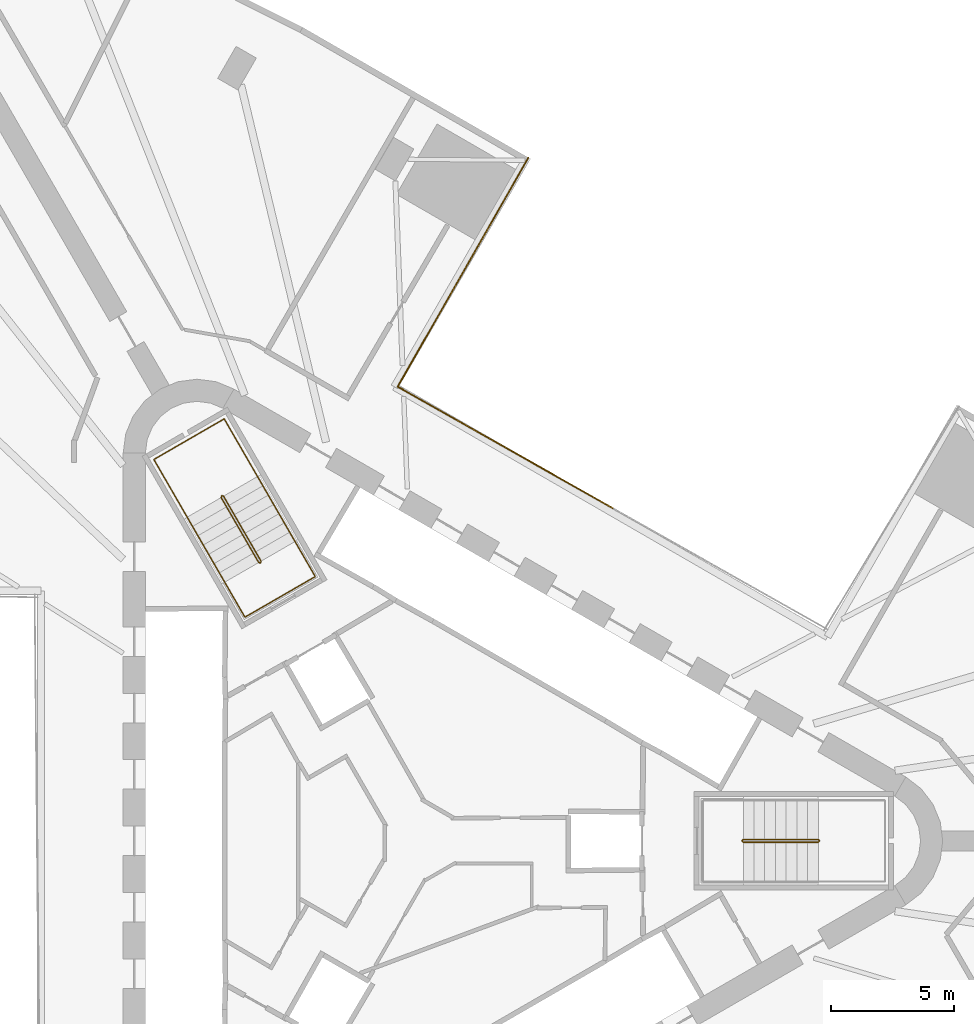
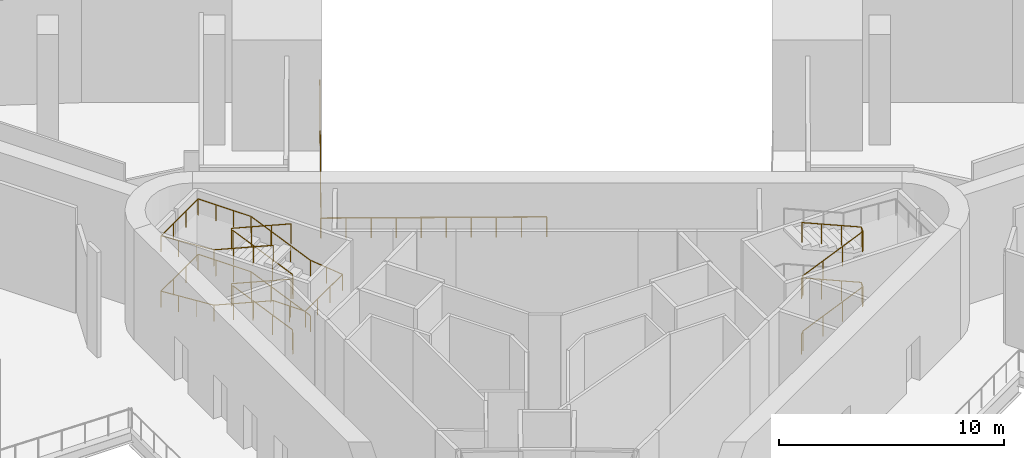
# One storey, part 10 of 11: 5 railings.
"""IFC4 building model written with IfcOpenShell, lengths in metres."""

import ifcopenshell
import ifcopenshell.guid

model = None  # the IFC model being written
_history = None  # IfcOwnerHistory: only IFC2X3 demands one
_inside = {}  # id of a spatial element -> (the spatial element, [elements in it])
_under = {}  # id of a project, library or spatial element -> (it, [spatial elements below it])
_declared = {}  # id of a project -> (the project, [libraries it declares])
_typed = {}  # id of a type object -> (the type object, [elements of that type])
_made_of = {}  # id of a material, layer set ... -> (it, [elements and type objects made of it])


def new_model(schema):
    """Start an empty IFC model of exactly this schema.

    Asked for "IFC4X3", IfcOpenShell would pick the latest addendum, in which some entities
    have other attributes; the version numbers below select the first issue.
    IFC2X3 requires an IfcOwnerHistory on every rooted entity: one is made here for all.
    """
    global model, _history
    if schema == "IFC4X3":
        model = ifcopenshell.file(schema_version=(4, 3, 0, 0))
    else:
        model = ifcopenshell.file(schema=schema)
    _inside.clear()
    _under.clear()
    _declared.clear()
    _typed.clear()
    _made_of.clear()
    _history = None
    if model.schema == "IFC2X3":
        org = make("IfcOrganization", Name="unknown")
        user = make(
            "IfcPersonAndOrganization",
            ThePerson=make("IfcPerson", FamilyName="unknown"),
            TheOrganization=org,
        )
        app = make(
            "IfcApplication",
            ApplicationDeveloper=org,
            Version="unknown",
            ApplicationFullName="unknown",
            ApplicationIdentifier="unknown",
        )
        _history = make(
            "IfcOwnerHistory",
            OwningUser=user,
            OwningApplication=app,
            ChangeAction="ADDED",
            CreationDate=0,
        )
    return model


def make(cls, **values):
    """One entity of the class cls with the attributes given. An attribute that is None is left unset."""
    return model.create_entity(
        cls, **{name: value for name, value in values.items() if value is not None}
    )


def rooted(cls, **values):
    """An entity with a GlobalId (a new one), such as an element, a storey or a relation."""
    return make(cls, GlobalId=ifcopenshell.guid.new(), OwnerHistory=_history, **values)


def si_unit(unit_type, name, prefix=None):
    """IfcSIUnit, for example si_unit("LENGTHUNIT", "METRE", prefix="MILLI")."""
    return make("IfcSIUnit", UnitType=unit_type, Prefix=prefix, Name=name)


def assignment(units):
    """IfcUnitAssignment: the units of a project."""
    return None if units is None else make("IfcUnitAssignment", Units=units)


def point(xyz):
    """IfcCartesianPoint."""
    return None if xyz is None else make("IfcCartesianPoint", Coordinates=xyz)


def direction(xyz):
    """IfcDirection."""
    return None if xyz is None else make("IfcDirection", DirectionRatios=xyz)


def frame(location, z_axis=None, x_axis=None):
    """IfcAxis2Placement3D, a coordinate frame: its origin and axes. An axis left out is left unset."""
    return make(
        "IfcAxis2Placement3D",
        Location=point(location),
        Axis=direction(z_axis),
        RefDirection=direction(x_axis),
    )


def frame_2d(location, x_axis=None):
    """IfcAxis2Placement2D, a coordinate frame in the plane: its origin and x axis."""
    return make(
        "IfcAxis2Placement2D", Location=point(location), RefDirection=direction(x_axis)
    )


def origin():
    """The frame at (0, 0, 0) with its axes left unset."""
    return frame((0.0, 0.0, 0.0))


def origin_2d():
    """The frame at (0, 0) in the plane with its x axis left unset."""
    return frame_2d((0.0, 0.0))


def place(relative_to, where):
    """IfcLocalPlacement: puts the frame where relative to a parent placement (None: the world)."""
    return make(
        "IfcLocalPlacement", PlacementRelTo=relative_to, RelativePlacement=where
    )


def context(
    kind, dimensions, precision=None, world=None, true_north=None, identifier=None
):
    """IfcGeometricRepresentationContext, for example the 3D "Model" context."""
    return make(
        "IfcGeometricRepresentationContext",
        ContextIdentifier=identifier,
        ContextType=kind,
        CoordinateSpaceDimension=dimensions,
        Precision=precision,
        WorldCoordinateSystem=world,
        TrueNorth=true_north,
    )


def subcontext(parent, identifier, kind, view, scale=None):
    """IfcGeometricRepresentationSubContext, for example "Body" below "Model"."""
    return make(
        "IfcGeometricRepresentationSubContext",
        ContextIdentifier=identifier,
        ContextType=kind,
        ParentContext=parent,
        TargetScale=scale,
        TargetView=view,
    )


def project(units=None, contexts=None):
    """IfcProject with its units and contexts."""
    return rooted(
        "IfcProject",
        Name="project",
        RepresentationContexts=contexts,
        UnitsInContext=assignment(units),
    )


def spatial(cls, under=None, at=None, **own):
    """A site, building, storey or space (cls), placed at a placement, below another one or the project."""
    s = rooted(cls, ObjectPlacement=at, **own)
    if under is not None:
        _under.setdefault(under.id(), (under, []))[1].append(s)
    return s


def profile(cls, at=None, kind="AREA", **sizes):
    """A parametric profile (cls). Its sizes go by their IFC names, for example OverallWidth=200.0."""
    return make(cls, ProfileType=kind, Position=at, **sizes)


def circle(**sizes):
    """IfcCircleProfileDef."""
    return profile("IfcCircleProfileDef", **sizes)


def extrude(swept, where, along, depth):
    """IfcExtrudedAreaSolid: the profile swept, set in the frame where, extruded along a direction by depth."""
    return make(
        "IfcExtrudedAreaSolid",
        SweptArea=swept,
        Position=where,
        ExtrudedDirection=direction(along),
        Depth=depth,
    )


def shape(context_of_items, identifier, shape_type, items):
    """IfcShapeRepresentation: the items that make up one representation, for example the "Body"."""
    return make(
        "IfcShapeRepresentation",
        ContextOfItems=context_of_items,
        RepresentationIdentifier=identifier,
        RepresentationType=shape_type,
        Items=items,
    )


def material(Name=None, Category=None):
    """IfcMaterial."""
    return make("IfcMaterial", Name=Name, Category=Category)


def made_of(thing, what):
    """Note that an element or type object is made of a material, layer set ...; save() writes the relation."""
    if what is not None:
        _made_of.setdefault(what.id(), (what, []))[1].append(thing)
    return thing


def type_object(cls, material=None, **own):
    """A type object (cls), such as IfcWallType, which elements share."""
    return made_of(rooted(cls, **own), material)


def element(
    cls,
    number,
    at=None,
    inside=None,
    cuts=None,
    type_object=None,
    material=None,
    context=None,
    identifier="Body",
    shape_type=None,
    held_by="IfcProductDefinitionShape",
    body=None,
    shapes=None,
    **own,
):
    """One element of the class cls, such as IfcWall. Its Tag is "e" and its number.

    at: its placement. inside: the storey or other place that contains it. cuts: it is an
    opening in that element (IfcRelVoidsElement). A single representation is given by context,
    identifier, shape_type and body (its items); several are given by shapes. held_by: the class
    of the entity that holds the representations. save() writes the other relations.
    """
    e = rooted(cls, Tag="e%d" % number, ObjectPlacement=at, **own)
    if body is not None:
        shapes = [shape(context, identifier, shape_type, body)]
    if shapes is not None:
        e.Representation = make(held_by, Representations=shapes)
    if inside is not None:
        _inside.setdefault(inside.id(), (inside, []))[1].append(e)
    if cuts is not None:
        rooted(
            "IfcRelVoidsElement", RelatingBuildingElement=cuts, RelatedOpeningElement=e
        )
    if type_object is not None:
        _typed.setdefault(type_object.id(), (type_object, []))[1].append(e)
    return made_of(e, material)


def aggregate(whole, parts):
    """IfcRelAggregates: a whole, such as a stair, and the parts it consists of."""
    return rooted("IfcRelAggregates", RelatingObject=whole, RelatedObjects=parts)


def save(model, path):
    """Write the relations noted so far, then the file.

    IfcRelAggregates (storeys below a building ...), IfcRelContainedInSpatialStructure (elements
    in a storey), IfcRelDefinesByType, IfcRelAssociatesMaterial and IfcRelDeclares: one each for
    every whole, place, type object, material and project.
    """
    for whole, parts in _under.values():
        aggregate(whole, parts)
    for where, things in _inside.values():
        rooted(
            "IfcRelContainedInSpatialStructure",
            RelatedElements=things,
            RelatingStructure=where,
        )
    for kind, things in _typed.values():
        rooted("IfcRelDefinesByType", RelatedObjects=things, RelatingType=kind)
    for what, things in _made_of.values():
        rooted("IfcRelAssociatesMaterial", RelatedObjects=things, RelatingMaterial=what)
    for by, libraries in _declared.values():
        rooted("IfcRelDeclares", RelatingContext=by, RelatedDefinitions=libraries)
    model.write(path)


model = new_model("IFC4")

# Units and contexts
model_context = context("Model", 3, precision=1e-05, world=origin(), true_north=direction((0.0, 1.0)))
body_context = subcontext(model_context, "Body", "Model", "MODEL_VIEW")
ifc_project = project(units=[si_unit("LENGTHUNIT", "METRE"), si_unit("AREAUNIT", "SQUARE_METRE"), si_unit("VOLUMEUNIT", "CUBIC_METRE"), si_unit("PLANEANGLEUNIT", "RADIAN"), si_unit("MASSUNIT", "GRAM", prefix="KILO")], contexts=[model_context])

# Site, building, storey
site_placement = place(None, origin())
site = spatial("IfcSite", under=ifc_project, at=site_placement, CompositionType="ELEMENT")
building_placement = place(site_placement, origin())
building = spatial("IfcBuilding", under=site, at=building_placement, Name="Tanit Gate Tower", CompositionType="ELEMENT")
storey_placement = place(building_placement, frame((0.0, 0.0, 15.5)))
storey = spatial("IfcBuildingStorey", under=building, at=storey_placement, Name="L02", CompositionType="ELEMENT", Elevation=15.5)

# Railings
ifc_material_1 = material(Name="Stainless steel", Category="steel")
railing_type_1 = type_object("IfcRailingType", Name="Guard 1100 stainless steel balustrade", PredefinedType="GUARDRAIL", material=ifc_material_1)
railing_1_placement = place(storey_placement, frame((4.366943359375, 27.763916015625, 0.0)))
element("IfcRailing", 1, at=railing_1_placement, inside=storey, type_object=railing_type_1, Name="Tunnel edge guard L02 6", PredefinedType="GUARDRAIL", context=body_context, shape_type="SweptSolid", body=[
    extrude(circle(Radius=0.02392578125, at=origin_2d()), frame((0.0, 0.0, 1.076171875), z_axis=(-0.495702152138, -0.86849258855, 0.0), x_axis=(0.86849258855, -0.495702152138, 0.0)), (0.0, 0.0, 1.0), 10.716064453125),
    extrude(circle(Radius=0.02099609375, at=origin_2d()), origin(), (0.0, 0.0, 1.0), 1.052001953125),
    extrude(circle(Radius=0.02099609375, at=origin_2d()), frame((-0.59033203125, -1.0341796875, 0.0)), (0.0, 0.0, 1.0), 1.052001953125),
    extrude(circle(Radius=0.02099609375, at=origin_2d()), frame((-1.180419921875, -2.068115234375, 0.0)), (0.0, 0.0, 1.0), 1.052001953125),
    extrude(circle(Radius=0.02099609375, at=origin_2d()), frame((-1.770751953125, -3.102294921875, 0.0)), (0.0, 0.0, 1.0), 1.052001953125),
    extrude(circle(Radius=0.02099609375, at=origin_2d()), frame((-2.36083984375, -4.136474609375, 0.0)), (0.0, 0.0, 1.0), 1.052001953125),
    extrude(circle(Radius=0.02099609375, at=origin_2d()), frame((-2.951171875, -5.17041015625, 0.0)), (0.0, 0.0, 1.0), 1.052001953125),
    extrude(circle(Radius=0.02099609375, at=origin_2d()), frame((-3.541259765625, -6.20458984375, 0.0)), (0.0, 0.0, 1.0), 1.052001953125),
    extrude(circle(Radius=0.02099609375, at=origin_2d()), frame((-4.131591796875, -7.23876953125, 0.0)), (0.0, 0.0, 1.0), 1.052001953125),
    extrude(circle(Radius=0.02099609375, at=origin_2d()), frame((-4.7216796875, -8.272705078125, 0.0)), (0.0, 0.0, 1.0), 1.052001953125),
    extrude(circle(Radius=0.02099609375, at=origin_2d()), frame((-5.31201171875, -9.306884765625, 0.0)), (0.0, 0.0, 1.0), 1.052001953125),
])
railing_2_placement = place(storey_placement, frame((-0.945068359375, 18.45703125, 0.0)))
element("IfcRailing", 2, at=railing_2_placement, inside=storey, type_object=railing_type_1, Name="Tunnel edge guard L02 6", PredefinedType="GUARDRAIL", context=body_context, shape_type="SweptSolid", body=[
    extrude(circle(Radius=0.02392578125, at=origin_2d()), frame((0.0, 0.0, 1.076171875), z_axis=(0.870687554571, -0.491836540239, 0.0), x_axis=(0.491836540239, 0.870687554571, 0.0)), (0.0, 0.0, 1.0), 10.02392578125),
    extrude(circle(Radius=0.02099609375, at=origin_2d()), origin(), (0.0, 0.0, 1.0), 1.052001953125),
    extrude(circle(Radius=0.02099609375, at=origin_2d()), frame((0.9697265625, -0.5478515625, 0.0)), (0.0, 0.0, 1.0), 1.052001953125),
    extrude(circle(Radius=0.02099609375, at=origin_2d()), frame((1.939453125, -1.095703125, 0.0)), (0.0, 0.0, 1.0), 1.052001953125),
    extrude(circle(Radius=0.02099609375, at=origin_2d()), frame((2.9091796875, -1.643310546875, 0.0)), (0.0, 0.0, 1.0), 1.052001953125),
    extrude(circle(Radius=0.02099609375, at=origin_2d()), frame((3.87890625, -2.191162109375, 0.0)), (0.0, 0.0, 1.0), 1.052001953125),
    extrude(circle(Radius=0.02099609375, at=origin_2d()), frame((4.848876953125, -2.739013671875, 0.0)), (0.0, 0.0, 1.0), 1.052001953125),
    extrude(circle(Radius=0.02099609375, at=origin_2d()), frame((5.818603515625, -3.286865234375, 0.0)), (0.0, 0.0, 1.0), 1.052001953125),
    extrude(circle(Radius=0.02099609375, at=origin_2d()), frame((6.788330078125, -3.83447265625, 0.0)), (0.0, 0.0, 1.0), 1.052001953125),
    extrude(circle(Radius=0.02099609375, at=origin_2d()), frame((7.758056640625, -4.38232421875, 0.0)), (0.0, 0.0, 1.0), 1.052001953125),
    extrude(circle(Radius=0.02099609375, at=origin_2d()), frame((8.727783203125, -4.93017578125, 0.0)), (0.0, 0.0, 1.0), 1.052001953125),
])
ifc_material_2 = material(Name="Stainless steel balustrade", Category="steel")
railing_type_2 = type_object("IfcRailingType", Name="INT-STAIR-GUARD", PredefinedType="GUARDRAIL", material=ifc_material_2)
railing_3_placement = place(storey_placement, frame((13.044921875, 0.0048828125, 0.0)))
element("IfcRailing", 3, at=railing_3_placement, inside=storey, type_object=railing_type_2, Name="L02 S1 stair guard 1", PredefinedType="GUARDRAIL", context=body_context, shape_type="SweptSolid", body=[
    extrude(circle(Radius=0.02392578125, at=origin_2d()), frame((0.0, 0.0, 1.076171875), z_axis=(0.0, -1.0, 0.0), x_axis=(1.0, 0.0, 0.0)), (0.0, 0.0, 1.0), 0.009765625),
    extrude(circle(Radius=0.02392578125, at=origin_2d()), frame((0.0, -0.009765625, 1.076171875), z_axis=(0.249726431254, -0.249726431254, 0.935560483917), x_axis=(0.707106781187, 0.707106781187, 0.0)), (0.0, 0.0, 1.0), 0.200439453125),
    extrude(circle(Radius=0.02392578125, at=origin_2d()), frame((0.050048828125, -0.059814453125, 1.263671875), z_axis=(0.918608089886, 0.0, 0.395169808052), x_axis=(0.0, 1.0, 0.0)), (0.0, 0.0, 1.0), 3.3212890625),
    extrude(circle(Radius=0.02392578125, at=origin_2d()), frame((3.10107421875, -0.059814453125, 2.576171875), z_axis=(0.707106781187, 0.707106781187, 0.0), x_axis=(-0.707106781187, 0.707106781187, 0.0)), (0.0, 0.0, 1.0), 0.07080078125),
    extrude(circle(Radius=0.02392578125, at=origin_2d()), frame((3.151123046875, -0.009765625, 2.576171875), z_axis=(0.0, 1.0, 0.0), x_axis=(-1.0, 0.0, 0.0)), (0.0, 0.0, 1.0), 0.009765625),
    extrude(circle(Radius=0.02392578125, at=origin_2d()), frame((3.151123046875, 0.0, 2.576171875), z_axis=(-0.249726431254, 0.249726431254, 0.935560483917), x_axis=(-0.707106781187, -0.707106781187, 0.0)), (0.0, 0.0, 1.0), 0.200439453125),
    extrude(circle(Radius=0.02392578125, at=origin_2d()), frame((3.10107421875, 0.050048828125, 2.763671875), z_axis=(-0.918608089886, 0.0, 0.395169808052), x_axis=(0.0, -1.0, 0.0)), (0.0, 0.0, 1.0), 3.3212890625),
    extrude(circle(Radius=0.02392578125, at=origin_2d()), frame((0.050048828125, 0.050048828125, 4.076171875), z_axis=(-0.707106781187, -0.707106781187, 0.0), x_axis=(0.707106781187, -0.707106781187, 0.0)), (0.0, 0.0, 1.0), 0.07080078125),
    extrude(circle(Radius=0.02392578125, at=origin_2d()), frame((0.0, 0.0, 4.076171875), z_axis=(0.0, -1.0, 0.0), x_axis=(1.0, 0.0, 0.0)), (0.0, 0.0, 1.0), 0.009765625),
    extrude(circle(Radius=0.02392578125, at=origin_2d()), frame((0.0, -0.009765625, 4.076171875), z_axis=(0.249726431254, -0.249726431254, 0.935560483917), x_axis=(0.707106781187, 0.707106781187, 0.0)), (0.0, 0.0, 1.0), 0.200439453125),
    extrude(circle(Radius=0.02392578125, at=origin_2d()), frame((0.050048828125, -0.059814453125, 4.263671875), z_axis=(0.918608089886, 0.0, 0.395169808052), x_axis=(0.0, 1.0, 0.0)), (0.0, 0.0, 1.0), 3.3212890625),
    extrude(circle(Radius=0.02392578125, at=origin_2d()), frame((3.10107421875, -0.059814453125, 5.576171875), z_axis=(0.707106781187, 0.707106781187, 0.0), x_axis=(-0.707106781187, 0.707106781187, 0.0)), (0.0, 0.0, 1.0), 0.07080078125),
    extrude(circle(Radius=0.02392578125, at=origin_2d()), frame((3.151123046875, -0.009765625, 5.576171875), z_axis=(0.0, 1.0, 0.0), x_axis=(-1.0, 0.0, 0.0)), (0.0, 0.0, 1.0), 0.009765625),
    extrude(circle(Radius=0.02392578125, at=origin_2d()), frame((3.151123046875, 0.0, 5.576171875), z_axis=(-0.249726431254, 0.249726431254, 0.935560483917), x_axis=(-0.707106781187, -0.707106781187, 0.0)), (0.0, 0.0, 1.0), 0.200439453125),
    extrude(circle(Radius=0.02392578125, at=origin_2d()), frame((3.10107421875, 0.050048828125, 5.763671875), z_axis=(-0.918608089886, 0.0, 0.395169808052), x_axis=(0.0, -1.0, 0.0)), (0.0, 0.0, 1.0), 3.3212890625),
    extrude(circle(Radius=0.02099609375, at=origin_2d()), origin(), (0.0, 0.0, 1.0), 1.052001953125),
    extrude(circle(Radius=0.02099609375, at=origin_2d()), frame((0.0, -0.009765625, 0.0)), (0.0, 0.0, 1.0), 1.052001953125),
    extrude(circle(Radius=0.02099609375, at=origin_2d()), frame((0.050048828125, -0.059814453125, 0.1875)), (0.0, 0.0, 1.0), 1.052001953125),
    extrude(circle(Radius=0.02099609375, at=origin_2d()), frame((1.067138671875, -0.059814453125, 0.625)), (0.0, 0.0, 1.0), 1.052001953125),
    extrude(circle(Radius=0.02099609375, at=origin_2d()), frame((2.083984375, -0.059814453125, 1.0625)), (0.0, 0.0, 1.0), 1.052001953125),
    extrude(circle(Radius=0.02099609375, at=origin_2d()), frame((3.10107421875, -0.059814453125, 1.5)), (0.0, 0.0, 1.0), 1.052001953125),
    extrude(circle(Radius=0.02099609375, at=origin_2d()), frame((3.151123046875, -0.009765625, 1.5)), (0.0, 0.0, 1.0), 1.052001953125),
    extrude(circle(Radius=0.02099609375, at=origin_2d()), frame((3.151123046875, 0.0, 1.5)), (0.0, 0.0, 1.0), 1.052001953125),
    extrude(circle(Radius=0.02099609375, at=origin_2d()), frame((3.10107421875, 0.050048828125, 1.6875)), (0.0, 0.0, 1.0), 1.052001953125),
    extrude(circle(Radius=0.02099609375, at=origin_2d()), frame((2.083984375, 0.050048828125, 2.125)), (0.0, 0.0, 1.0), 1.052001953125),
    extrude(circle(Radius=0.02099609375, at=origin_2d()), frame((1.067138671875, 0.050048828125, 2.5625)), (0.0, 0.0, 1.0), 1.052001953125),
    extrude(circle(Radius=0.02099609375, at=origin_2d()), frame((0.050048828125, 0.050048828125, 3.0)), (0.0, 0.0, 1.0), 1.052001953125),
    extrude(circle(Radius=0.02099609375, at=origin_2d()), frame((0.0, 0.0, 3.0)), (0.0, 0.0, 1.0), 1.052001953125),
    extrude(circle(Radius=0.02099609375, at=origin_2d()), frame((0.0, -0.009765625, 3.0)), (0.0, 0.0, 1.0), 1.052001953125),
    extrude(circle(Radius=0.02099609375, at=origin_2d()), frame((0.050048828125, -0.059814453125, 3.1875)), (0.0, 0.0, 1.0), 1.052001953125),
    extrude(circle(Radius=0.02099609375, at=origin_2d()), frame((1.067138671875, -0.059814453125, 3.625)), (0.0, 0.0, 1.0), 1.052001953125),
    extrude(circle(Radius=0.02099609375, at=origin_2d()), frame((2.083984375, -0.059814453125, 4.0625)), (0.0, 0.0, 1.0), 1.052001953125),
    extrude(circle(Radius=0.02099609375, at=origin_2d()), frame((3.10107421875, -0.059814453125, 4.5)), (0.0, 0.0, 1.0), 1.052001953125),
    extrude(circle(Radius=0.02099609375, at=origin_2d()), frame((3.151123046875, -0.009765625, 4.5)), (0.0, 0.0, 1.0), 1.052001953125),
    extrude(circle(Radius=0.02099609375, at=origin_2d()), frame((3.151123046875, 0.0, 4.5)), (0.0, 0.0, 1.0), 1.052001953125),
    extrude(circle(Radius=0.02099609375, at=origin_2d()), frame((3.10107421875, 0.050048828125, 4.6875)), (0.0, 0.0, 1.0), 1.052001953125),
    extrude(circle(Radius=0.02099609375, at=origin_2d()), frame((2.083984375, 0.050048828125, 5.125)), (0.0, 0.0, 1.0), 1.052001953125),
    extrude(circle(Radius=0.02099609375, at=origin_2d()), frame((1.067138671875, 0.050048828125, 5.5625)), (0.0, 0.0, 1.0), 1.052001953125),
    extrude(circle(Radius=0.02099609375, at=origin_2d()), frame((0.050048828125, 0.050048828125, 6.0)), (0.0, 0.0, 1.0), 1.052001953125),
])
railing_4_placement = place(storey_placement, frame((-6.527099609375, 11.29345703125, 0.0)))
element("IfcRailing", 4, at=railing_4_placement, inside=storey, type_object=railing_type_2, Name="L02 S2 stair guard 1", PredefinedType="GUARDRAIL", context=body_context, shape_type="SweptSolid", body=[
    extrude(circle(Radius=0.02392578125, at=origin_2d()), frame((0.0, 0.0, 1.076171875), z_axis=(0.868243142124, 0.496138938357, 0.0), x_axis=(-0.496138938357, 0.868243142124, 0.0)), (0.0, 0.0, 1.0), 0.01171875),
    extrude(circle(Radius=0.02392578125, at=origin_2d()), frame((0.01025390625, 0.005859375, 1.076171875), z_axis=(0.091365023295, 0.341096086969, 0.935577838543), x_axis=(-0.965948051503, 0.258736085224, 0.0)), (0.0, 0.0, 1.0), 0.200439453125),
    extrude(circle(Radius=0.02392578125, at=origin_2d()), frame((0.028564453125, 0.07421875, 1.263671875), z_axis=(-0.459281500864, 0.79545055458, 0.395371873282), x_axis=(-0.866012246495, -0.500022788402, 0.0)), (0.0, 0.0, 1.0), 3.319580078125),
    extrude(circle(Radius=0.02392578125, at=origin_2d()), frame((-1.49609375, 2.71484375, 2.576171875), z_axis=(-0.965715946433, 0.259601060869, 0.0), x_axis=(-0.259601060869, -0.965715946433, 0.0)), (0.0, 0.0, 1.0), 0.070556640625),
    extrude(circle(Radius=0.02392578125, at=origin_2d()), frame((-1.564208984375, 2.733154296875, 2.576171875), z_axis=(-0.873197702015, -0.487366159264, 0.0), x_axis=(0.487366159264, -0.873197702015, 0.0)), (0.0, 0.0, 1.0), 0.011962890625),
    extrude(circle(Radius=0.02392578125, at=origin_2d()), frame((-1.57470703125, 2.727294921875, 2.576171875), z_axis=(-0.091365023295, -0.341096086969, 0.935577838543), x_axis=(0.965948051503, -0.258736085224, 0.0)), (0.0, 0.0, 1.0), 0.200439453125),
    extrude(circle(Radius=0.02392578125, at=origin_2d()), frame((-1.593017578125, 2.658935546875, 2.763671875), z_axis=(0.459281500864, -0.79545055458, 0.395371873282), x_axis=(0.866012246495, 0.500022788402, 0.0)), (0.0, 0.0, 1.0), 3.319580078125),
    extrude(circle(Radius=0.02392578125, at=origin_2d()), frame((-0.068359375, 0.018310546875, 4.076171875), z_axis=(0.965948051503, -0.258736085224, 0.0), x_axis=(0.258736085224, 0.965948051503, 0.0)), (0.0, 0.0, 1.0), 0.07080078125),
    extrude(circle(Radius=0.02392578125, at=origin_2d()), frame((0.0, 0.0, 4.076171875), z_axis=(0.868243142124, 0.496138938357, 0.0), x_axis=(-0.496138938357, 0.868243142124, 0.0)), (0.0, 0.0, 1.0), 0.01171875),
    extrude(circle(Radius=0.02392578125, at=origin_2d()), frame((0.01025390625, 0.005859375, 4.076171875), z_axis=(0.091365023295, 0.341096086969, 0.935577838543), x_axis=(-0.965948051503, 0.258736085224, 0.0)), (0.0, 0.0, 1.0), 0.200439453125),
    extrude(circle(Radius=0.02392578125, at=origin_2d()), frame((0.028564453125, 0.07421875, 4.263671875), z_axis=(-0.459281500864, 0.79545055458, 0.395371873282), x_axis=(-0.866012246495, -0.500022788402, 0.0)), (0.0, 0.0, 1.0), 3.319580078125),
    extrude(circle(Radius=0.02392578125, at=origin_2d()), frame((-1.49609375, 2.71484375, 5.576171875), z_axis=(-0.965715946433, 0.259601060869, 0.0), x_axis=(-0.259601060869, -0.965715946433, 0.0)), (0.0, 0.0, 1.0), 0.070556640625),
    extrude(circle(Radius=0.02392578125, at=origin_2d()), frame((-1.564208984375, 2.733154296875, 5.576171875), z_axis=(-0.873197702015, -0.487366159264, 0.0), x_axis=(0.487366159264, -0.873197702015, 0.0)), (0.0, 0.0, 1.0), 0.011962890625),
    extrude(circle(Radius=0.02392578125, at=origin_2d()), frame((-1.57470703125, 2.727294921875, 5.576171875), z_axis=(-0.091365023295, -0.341096086969, 0.935577838543), x_axis=(0.965948051503, -0.258736085224, 0.0)), (0.0, 0.0, 1.0), 0.200439453125),
    extrude(circle(Radius=0.02392578125, at=origin_2d()), frame((-1.593017578125, 2.658935546875, 5.763671875), z_axis=(0.459281500864, -0.79545055458, 0.395371873282), x_axis=(0.866012246495, 0.500022788402, 0.0)), (0.0, 0.0, 1.0), 3.319580078125),
    extrude(circle(Radius=0.02099609375, at=origin_2d()), origin(), (0.0, 0.0, 1.0), 1.052001953125),
    extrude(circle(Radius=0.02099609375, at=origin_2d()), frame((0.01025390625, 0.005859375, 0.0)), (0.0, 0.0, 1.0), 1.052001953125),
    extrude(circle(Radius=0.02099609375, at=origin_2d()), frame((0.028564453125, 0.07421875, 0.1875)), (0.0, 0.0, 1.0), 1.052001953125),
    extrude(circle(Radius=0.02099609375, at=origin_2d()), frame((-0.479736328125, 0.954345703125, 0.625)), (0.0, 0.0, 1.0), 1.052001953125),
    extrude(circle(Radius=0.02099609375, at=origin_2d()), frame((-0.98779296875, 1.834716796875, 1.0625)), (0.0, 0.0, 1.0), 1.052001953125),
    extrude(circle(Radius=0.02099609375, at=origin_2d()), frame((-1.49609375, 2.71484375, 1.5)), (0.0, 0.0, 1.0), 1.052001953125),
    extrude(circle(Radius=0.02099609375, at=origin_2d()), frame((-1.564208984375, 2.733154296875, 1.5)), (0.0, 0.0, 1.0), 1.052001953125),
    extrude(circle(Radius=0.02099609375, at=origin_2d()), frame((-1.57470703125, 2.727294921875, 1.5)), (0.0, 0.0, 1.0), 1.052001953125),
    extrude(circle(Radius=0.02099609375, at=origin_2d()), frame((-1.593017578125, 2.658935546875, 1.6875)), (0.0, 0.0, 1.0), 1.052001953125),
    extrude(circle(Radius=0.02099609375, at=origin_2d()), frame((-1.084716796875, 1.77880859375, 2.125)), (0.0, 0.0, 1.0), 1.052001953125),
    extrude(circle(Radius=0.02099609375, at=origin_2d()), frame((-0.57666015625, 0.8984375, 2.5625)), (0.0, 0.0, 1.0), 1.052001953125),
    extrude(circle(Radius=0.02099609375, at=origin_2d()), frame((-0.068359375, 0.018310546875, 3.0)), (0.0, 0.0, 1.0), 1.052001953125),
    extrude(circle(Radius=0.02099609375, at=origin_2d()), frame((0.0, 0.0, 3.0)), (0.0, 0.0, 1.0), 1.052001953125),
    extrude(circle(Radius=0.02099609375, at=origin_2d()), frame((0.01025390625, 0.005859375, 3.0)), (0.0, 0.0, 1.0), 1.052001953125),
    extrude(circle(Radius=0.02099609375, at=origin_2d()), frame((0.028564453125, 0.07421875, 3.1875)), (0.0, 0.0, 1.0), 1.052001953125),
    extrude(circle(Radius=0.02099609375, at=origin_2d()), frame((-0.479736328125, 0.954345703125, 3.625)), (0.0, 0.0, 1.0), 1.052001953125),
    extrude(circle(Radius=0.02099609375, at=origin_2d()), frame((-0.98779296875, 1.834716796875, 4.0625)), (0.0, 0.0, 1.0), 1.052001953125),
    extrude(circle(Radius=0.02099609375, at=origin_2d()), frame((-1.49609375, 2.71484375, 4.5)), (0.0, 0.0, 1.0), 1.052001953125),
    extrude(circle(Radius=0.02099609375, at=origin_2d()), frame((-1.564208984375, 2.733154296875, 4.5)), (0.0, 0.0, 1.0), 1.052001953125),
    extrude(circle(Radius=0.02099609375, at=origin_2d()), frame((-1.57470703125, 2.727294921875, 4.5)), (0.0, 0.0, 1.0), 1.052001953125),
    extrude(circle(Radius=0.02099609375, at=origin_2d()), frame((-1.593017578125, 2.658935546875, 4.6875)), (0.0, 0.0, 1.0), 1.052001953125),
    extrude(circle(Radius=0.02099609375, at=origin_2d()), frame((-1.084716796875, 1.77880859375, 5.125)), (0.0, 0.0, 1.0), 1.052001953125),
    extrude(circle(Radius=0.02099609375, at=origin_2d()), frame((-0.57666015625, 0.8984375, 5.5625)), (0.0, 0.0, 1.0), 1.052001953125),
    extrude(circle(Radius=0.02099609375, at=origin_2d()), frame((-0.068359375, 0.018310546875, 6.0)), (0.0, 0.0, 1.0), 1.052001953125),
])
ifc_material_3 = material(Name="Stainless steel handrail", Category="steel")
railing_type_3 = type_object("IfcRailingType", Name="INT-STAIR-HANDRAIL", PredefinedType="HANDRAIL", material=ifc_material_3)
railing_5_placement = place(storey_placement, frame((-5.1181640625, 12.164794921875, 0.1875)))
element("IfcRailing", 5, at=railing_5_placement, inside=storey, type_object=railing_type_3, Name="L02 S2 stair handrail 1", PredefinedType="HANDRAIL", context=body_context, shape_type="SweptSolid", body=[
    extrude(circle(Radius=0.02392578125, at=origin_2d()), frame((0.0, 0.0, 0.8759765625), z_axis=(-0.459223467357, 0.795477421995, 0.3953852275), x_axis=(-0.866046917185, -0.499962735845, 0.0)), (0.0, 0.0, 1.0), 3.319580078125),
    extrude(circle(Radius=0.02392578125, at=origin_2d()), frame((-1.5244140625, 2.640625, 2.1884765625), z_axis=(-0.500019123664, 0.86601436245, 0.0), x_axis=(-0.86601436245, -0.500019123664, 0.0)), (0.0, 0.0, 1.0), 2.70703125),
    extrude(circle(Radius=0.02392578125, at=origin_2d()), frame((-2.8779296875, 4.98486328125, 2.1884765625), z_axis=(-0.866008176907, -0.50002983664, 0.0), x_axis=(0.50002983664, -0.866008176907, 0.0)), (0.0, 0.0, 1.0), 3.300048828125),
    extrude(circle(Radius=0.02392578125, at=origin_2d()), frame((-5.73583984375, 3.334716796875, 2.1884765625), z_axis=(0.498862685348, -0.863921472227, 0.069106519182), x_axis=(0.865991810323, 0.500058181068, 0.0)), (0.0, 0.0, 1.0), 2.713134765625),
    extrude(circle(Radius=0.02392578125, at=origin_2d()), frame((-4.38232421875, 0.99072265625, 2.3759765625), z_axis=(0.459254633775, -0.795477561817, 0.395348744784), x_axis=(0.866032263162, 0.499988119021, 0.0)), (0.0, 0.0, 1.0), 3.31982421875),
    extrude(circle(Radius=0.02392578125, at=origin_2d()), frame((-2.857666015625, -1.650146484375, 3.6884765625), z_axis=(0.499941024108, -0.866059450854, 0.0), x_axis=(0.866059450854, 0.499941024108, 0.0)), (0.0, 0.0, 1.0), 1.643798828125),
    extrude(circle(Radius=0.02392578125, at=origin_2d()), frame((-2.035888671875, -3.07373046875, 3.6884765625), z_axis=(0.866040211805, 0.499974350878, 0.0), x_axis=(-0.499974350878, 0.866040211805, 0.0)), (0.0, 0.0, 1.0), 3.300048828125),
    extrude(circle(Radius=0.02392578125, at=origin_2d()), frame((0.822021484375, -1.423828125, 3.6884765625), z_axis=(-0.496767975462, 0.860454657824, 0.113310901442), x_axis=(-0.866032269107, -0.499988108725, 0.0)), (0.0, 0.0, 1.0), 1.65478515625),
    extrude(circle(Radius=0.02392578125, at=origin_2d()), frame((0.0, 0.0, 3.8759765625), z_axis=(-0.459223467357, 0.795477421995, 0.3953852275), x_axis=(-0.866046917185, -0.499962735845, 0.0)), (0.0, 0.0, 1.0), 3.319580078125),
    extrude(circle(Radius=0.02392578125, at=origin_2d()), frame((-1.5244140625, 2.640625, 5.1884765625), z_axis=(-0.500019123664, 0.86601436245, 0.0), x_axis=(-0.86601436245, -0.500019123664, 0.0)), (0.0, 0.0, 1.0), 2.70703125),
    extrude(circle(Radius=0.02392578125, at=origin_2d()), frame((-2.8779296875, 4.98486328125, 5.1884765625), z_axis=(-0.866008176907, -0.50002983664, 0.0), x_axis=(0.50002983664, -0.866008176907, 0.0)), (0.0, 0.0, 1.0), 3.300048828125),
    extrude(circle(Radius=0.02392578125, at=origin_2d()), frame((-5.73583984375, 3.334716796875, 5.1884765625), z_axis=(0.498862685348, -0.863921472227, 0.069106519182), x_axis=(0.865991810323, 0.500058181068, 0.0)), (0.0, 0.0, 1.0), 2.713134765625),
    extrude(circle(Radius=0.02392578125, at=origin_2d()), frame((-4.38232421875, 0.99072265625, 5.3759765625), z_axis=(0.459254633775, -0.795477561817, 0.395348744784), x_axis=(0.866032263162, 0.499988119021, 0.0)), (0.0, 0.0, 1.0), 3.31982421875),
    extrude(circle(Radius=0.02099609375, at=origin_2d()), origin(), (0.0, 0.0, 1.0), 0.851806640625),
    extrude(circle(Radius=0.02099609375, at=origin_2d()), frame((-0.508056640625, 0.880126953125, 0.4375)), (0.0, 0.0, 1.0), 0.851806640625),
    extrude(circle(Radius=0.02099609375, at=origin_2d()), frame((-1.016357421875, 1.760498046875, 0.875)), (0.0, 0.0, 1.0), 0.851806640625),
    extrude(circle(Radius=0.02099609375, at=origin_2d()), frame((-1.5244140625, 2.640625, 1.3125)), (0.0, 0.0, 1.0), 0.851806640625),
    extrude(circle(Radius=0.02099609375, at=origin_2d()), frame((-1.9755859375, 3.422119140625, 1.3125)), (0.0, 0.0, 1.0), 0.851806640625),
    extrude(circle(Radius=0.02099609375, at=origin_2d()), frame((-2.4267578125, 4.203369140625, 1.3125)), (0.0, 0.0, 1.0), 0.851806640625),
    extrude(circle(Radius=0.02099609375, at=origin_2d()), frame((-2.8779296875, 4.98486328125, 1.3125)), (0.0, 0.0, 1.0), 0.851806640625),
    extrude(circle(Radius=0.02099609375, at=origin_2d()), frame((-3.83056640625, 4.434814453125, 1.3125)), (0.0, 0.0, 1.0), 0.851806640625),
    extrude(circle(Radius=0.02099609375, at=origin_2d()), frame((-4.783203125, 3.884765625, 1.3125)), (0.0, 0.0, 1.0), 0.851806640625),
    extrude(circle(Radius=0.02099609375, at=origin_2d()), frame((-5.73583984375, 3.334716796875, 1.3125)), (0.0, 0.0, 1.0), 0.851806640625),
    extrude(circle(Radius=0.02099609375, at=origin_2d()), frame((-5.28466796875, 2.553466796875, 1.375)), (0.0, 0.0, 1.0), 0.851806640625),
    extrude(circle(Radius=0.02099609375, at=origin_2d()), frame((-4.83349609375, 1.77197265625, 1.4375)), (0.0, 0.0, 1.0), 0.851806640625),
    extrude(circle(Radius=0.02099609375, at=origin_2d()), frame((-4.38232421875, 0.99072265625, 1.5)), (0.0, 0.0, 1.0), 0.851806640625),
    extrude(circle(Radius=0.02099609375, at=origin_2d()), frame((-3.8740234375, 0.1103515625, 1.9375)), (0.0, 0.0, 1.0), 0.851806640625),
    extrude(circle(Radius=0.02099609375, at=origin_2d()), frame((-3.365966796875, -0.769775390625, 2.375)), (0.0, 0.0, 1.0), 0.851806640625),
    extrude(circle(Radius=0.02099609375, at=origin_2d()), frame((-2.857666015625, -1.650146484375, 2.8125)), (0.0, 0.0, 1.0), 0.851806640625),
    extrude(circle(Radius=0.02099609375, at=origin_2d()), frame((-2.44677734375, -2.36181640625, 2.8125)), (0.0, 0.0, 1.0), 0.851806640625),
    extrude(circle(Radius=0.02099609375, at=origin_2d()), frame((-2.035888671875, -3.07373046875, 2.8125)), (0.0, 0.0, 1.0), 0.851806640625),
    extrude(circle(Radius=0.02099609375, at=origin_2d()), frame((-1.083251953125, -2.523681640625, 2.8125)), (0.0, 0.0, 1.0), 0.851806640625),
    extrude(circle(Radius=0.02099609375, at=origin_2d()), frame((-0.130615234375, -1.973876953125, 2.8125)), (0.0, 0.0, 1.0), 0.851806640625),
    extrude(circle(Radius=0.02099609375, at=origin_2d()), frame((0.822021484375, -1.423828125, 2.8125)), (0.0, 0.0, 1.0), 0.851806640625),
    extrude(circle(Radius=0.02099609375, at=origin_2d()), frame((0.4111328125, -0.7119140625, 2.90625)), (0.0, 0.0, 1.0), 0.851806640625),
    extrude(circle(Radius=0.02099609375, at=origin_2d()), frame((0.0, 0.0, 3.0)), (0.0, 0.0, 1.0), 0.851806640625),
    extrude(circle(Radius=0.02099609375, at=origin_2d()), frame((-0.508056640625, 0.880126953125, 3.4375)), (0.0, 0.0, 1.0), 0.851806640625),
    extrude(circle(Radius=0.02099609375, at=origin_2d()), frame((-1.016357421875, 1.760498046875, 3.875)), (0.0, 0.0, 1.0), 0.851806640625),
    extrude(circle(Radius=0.02099609375, at=origin_2d()), frame((-1.5244140625, 2.640625, 4.3125)), (0.0, 0.0, 1.0), 0.851806640625),
    extrude(circle(Radius=0.02099609375, at=origin_2d()), frame((-1.9755859375, 3.422119140625, 4.3125)), (0.0, 0.0, 1.0), 0.851806640625),
    extrude(circle(Radius=0.02099609375, at=origin_2d()), frame((-2.4267578125, 4.203369140625, 4.3125)), (0.0, 0.0, 1.0), 0.851806640625),
    extrude(circle(Radius=0.02099609375, at=origin_2d()), frame((-2.8779296875, 4.98486328125, 4.3125)), (0.0, 0.0, 1.0), 0.851806640625),
    extrude(circle(Radius=0.02099609375, at=origin_2d()), frame((-3.83056640625, 4.434814453125, 4.3125)), (0.0, 0.0, 1.0), 0.851806640625),
    extrude(circle(Radius=0.02099609375, at=origin_2d()), frame((-4.783203125, 3.884765625, 4.3125)), (0.0, 0.0, 1.0), 0.851806640625),
    extrude(circle(Radius=0.02099609375, at=origin_2d()), frame((-5.73583984375, 3.334716796875, 4.3125)), (0.0, 0.0, 1.0), 0.851806640625),
    extrude(circle(Radius=0.02099609375, at=origin_2d()), frame((-5.28466796875, 2.553466796875, 4.375)), (0.0, 0.0, 1.0), 0.851806640625),
    extrude(circle(Radius=0.02099609375, at=origin_2d()), frame((-4.83349609375, 1.77197265625, 4.4375)), (0.0, 0.0, 1.0), 0.851806640625),
    extrude(circle(Radius=0.02099609375, at=origin_2d()), frame((-4.38232421875, 0.99072265625, 4.5)), (0.0, 0.0, 1.0), 0.851806640625),
    extrude(circle(Radius=0.02099609375, at=origin_2d()), frame((-3.8740234375, 0.1103515625, 4.9375)), (0.0, 0.0, 1.0), 0.851806640625),
    extrude(circle(Radius=0.02099609375, at=origin_2d()), frame((-3.365966796875, -0.769775390625, 5.375)), (0.0, 0.0, 1.0), 0.851806640625),
    extrude(circle(Radius=0.02099609375, at=origin_2d()), frame((-2.857666015625, -1.650146484375, 5.8125)), (0.0, 0.0, 1.0), 0.851806640625),
])

save(model, "model.ifc")
